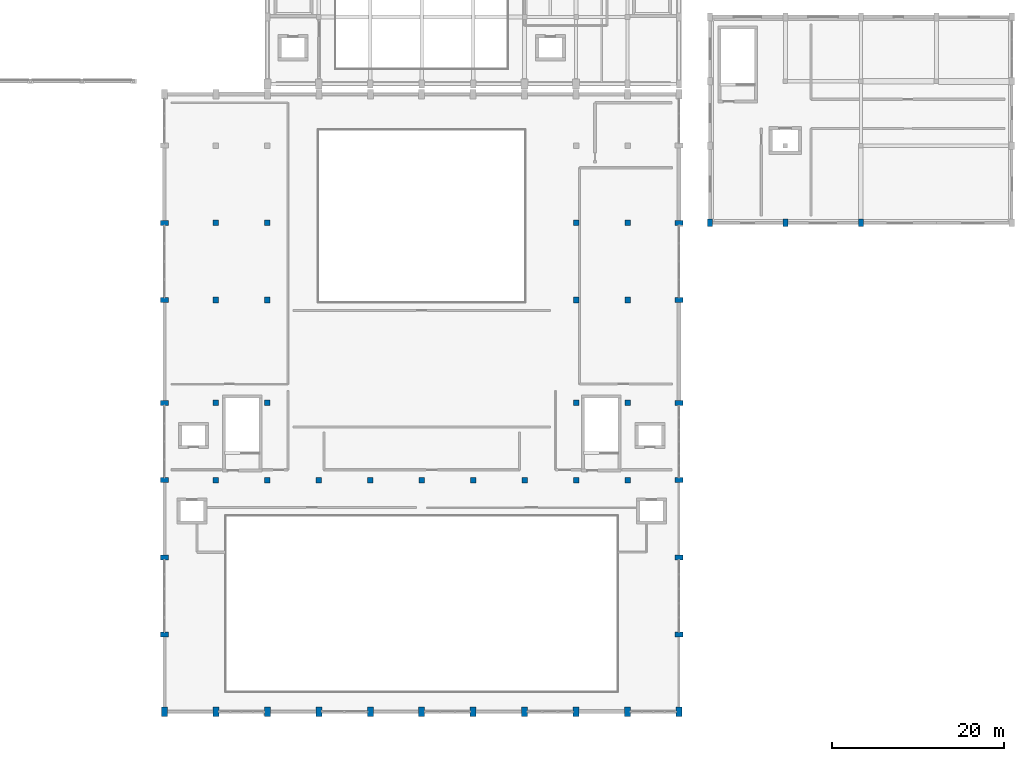
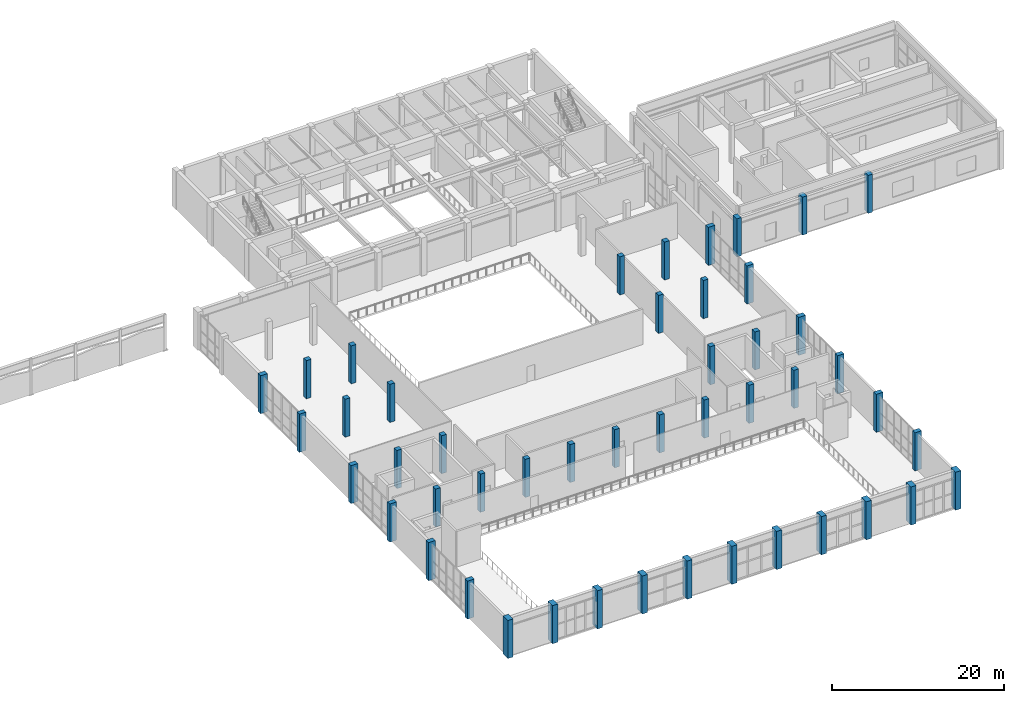
# One storey, part 1 of 41: 47 columns.
"""IFC4 building model written with IfcOpenShell, lengths in metres."""

from ifc_helpers import new_model, si_unit, direction, frame, origin, origin_2d, place, context, subcontext, project, spatial, rectangle, extrude, material, material_profile, profile_set, type_object, element, save


model = new_model("IFC4")

# Units and contexts
model_context = context("Model", 3, precision=1e-05, world=origin(), true_north=direction((0.0, 1.0)))
body_context = subcontext(model_context, "Body", "Model", "MODEL_VIEW")
ifc_project = project(units=[si_unit("LENGTHUNIT", "METRE"), si_unit("AREAUNIT", "SQUARE_METRE"), si_unit("VOLUMEUNIT", "CUBIC_METRE"), si_unit("PLANEANGLEUNIT", "RADIAN"), si_unit("MASSUNIT", "GRAM", prefix="KILO")], contexts=[model_context])

# Site, building, storey
site_placement = place(None, origin())
site = spatial("IfcSite", under=ifc_project, at=site_placement, CompositionType="ELEMENT")
building_placement = place(site_placement, origin())
building = spatial("IfcBuilding", under=site, at=building_placement, Name="Vaelkrest Opera House", CompositionType="ELEMENT")
storey_placement = place(building_placement, frame((0.0, 0.0, 24.60009765625)))
storey = spatial("IfcBuildingStorey", under=building, at=storey_placement, Name="L05", CompositionType="ELEMENT", Elevation=24.60009765625)

# Columns
ifc_material = material(Name="Concrete C50/60", Category="concrete")
ifc_material_profile_1 = material_profile(ifc_material, rectangle(XDim=0.60009765625, YDim=0.89990234375, at=origin_2d()), Name="RC600X900")
ifc_profile_set_1 = profile_set([ifc_material_profile_1], Name="Concrete C50/60")
column_type_1 = type_object("IfcColumnType", Name="C06", PredefinedType="COLUMN", material=ifc_profile_set_1)
for number, where, z_axis, x_axis, name in (
    (1, (-30.0, -46.800048828125, 0.0), (0.0, 0.0, 1.0), (0.0, 1.0, 0.0), "Column COL-V1-L05-0396"),
    (2, (-30.0, -37.800048828125, 0.0), (0.0, 0.0, 1.0), (0.0, 1.0, 0.0), "Column COL-V1-L05-0397"),
    (3, (-30.0, -28.800048828125, 0.0), (0.0, 0.0, 1.0), (0.0, 1.0, 0.0), "Column COL-V1-L05-0398"),
    (4, (-30.0, -19.800048828125, 0.0), (0.0, 0.0, 1.0), (0.0, 1.0, 0.0), "Column COL-V1-L05-0399"),
    (5, (-30.0, -7.800048828125, 0.0), (0.0, 0.0, 1.0), (0.0, 1.0, 0.0), "Column COL-V1-L05-0400"),
    (6, (-30.0, 1.199951171875, 0.0), (0.0, 0.0, 1.0), (0.0, 1.0, 0.0), "Column COL-V1-L05-0401"),
    (7, (30.0, -46.800048828125, 0.0), (0.0, 0.0, 1.0), (0.0, 1.0, 0.0), "Column COL-V1-L05-0448"),
    (8, (30.0, -37.800048828125, 0.0), (0.0, 0.0, 1.0), (0.0, 1.0, 0.0), "Column COL-V1-L05-0449"),
    (9, (30.0, -28.800048828125, 0.0), (0.0, 0.0, 1.0), (0.0, 1.0, 0.0), "Column COL-V1-L05-0450"),
    (10, (30.0, -19.800048828125, 0.0), (0.0, 0.0, 1.0), (0.0, 1.0, 0.0), "Column COL-V1-L05-0451"),
    (11, (30.0, -7.800048828125, 0.0), (0.0, 0.0, 1.0), (0.0, 1.0, 0.0), "Column COL-V1-L05-0452"),
    (12, (30.0, 1.199951171875, 0.0), (0.0, 0.0, 1.0), (0.0, 1.0, 0.0), "Column COL-V1-L05-0453"),
    (13, (33.60009765625, 1.199951171875, 0.0), (0.0, 0.0, 1.0), (1.0, 0.0, 0.0), "Column COL-V4-L05-1395"),
    (14, (42.39990234375, 1.199951171875, 0.0), (0.0, 0.0, 1.0), (1.0, 0.0, 0.0), "Column COL-V4-L05-1399"),
    (15, (51.199951171875, 1.199951171875, 0.0), (0.0, 0.0, 1.0), (1.0, 0.0, 0.0), "Column COL-V4-L05-1403"),
):
    element("IfcColumn", number, at=place(storey_placement, frame(where, z_axis=z_axis, x_axis=x_axis)), inside=storey, type_object=column_type_1, Name=name, PredefinedType="COLUMN", context=body_context, shape_type="SweptSolid", body=[
        extrude(rectangle(XDim=0.60009765625, YDim=0.89990234375, at=origin_2d()), origin(), (0.0, 0.0, 1.0), 5.39990234375),
    ])
ifc_material_profile_2 = material_profile(ifc_material, rectangle(XDim=0.699951171875, YDim=1.10009765625, at=origin_2d()), Name="RC700X1100")
ifc_profile_set_2 = profile_set([ifc_material_profile_2], Name="Concrete C50/60")
column_type_2 = type_object("IfcColumnType", Name="C07", PredefinedType="COLUMN", material=ifc_profile_set_2)
for number, where, z_axis, x_axis, name in (
    (16, (-30.0, -55.800048828125, 0.0), (0.0, 0.0, 1.0), (1.0, 0.0, 0.0), "Column COL-V1-L05-0395"),
    (17, (-24.0, -55.800048828125, 0.0), (0.0, 0.0, 1.0), (1.0, 0.0, 0.0), "Column COL-V1-L05-0404"),
    (18, (-18.0, -55.800048828125, 0.0), (0.0, 0.0, 1.0), (1.0, 0.0, 0.0), "Column COL-V1-L05-0411"),
    (19, (-12.0, -55.800048828125, 0.0), (0.0, 0.0, 1.0), (1.0, 0.0, 0.0), "Column COL-V1-L05-0418"),
    (20, (-6.0, -55.800048828125, 0.0), (0.0, 0.0, 1.0), (1.0, 0.0, 0.0), "Column COL-V1-L05-0421"),
    (21, (0.0, -55.800048828125, 0.0), (0.0, 0.0, 1.0), (1.0, 0.0, 0.0), "Column COL-V1-L05-0424"),
    (22, (6.0, -55.800048828125, 0.0), (0.0, 0.0, 1.0), (1.0, 0.0, 0.0), "Column COL-V1-L05-0427"),
    (23, (12.0, -55.800048828125, 0.0), (0.0, 0.0, 1.0), (1.0, 0.0, 0.0), "Column COL-V1-L05-0430"),
    (24, (18.0, -55.800048828125, 0.0), (0.0, 0.0, 1.0), (1.0, 0.0, 0.0), "Column COL-V1-L05-0433"),
    (25, (24.0, -55.800048828125, 0.0), (0.0, 0.0, 1.0), (1.0, 0.0, 0.0), "Column COL-V1-L05-0440"),
    (26, (30.0, -55.800048828125, 0.0), (0.0, 0.0, 1.0), (1.0, 0.0, 0.0), "Column COL-V1-L05-0447"),
):
    element("IfcColumn", number, at=place(storey_placement, frame(where, z_axis=z_axis, x_axis=x_axis)), inside=storey, type_object=column_type_2, Name=name, PredefinedType="COLUMN", context=body_context, shape_type="SweptSolid", body=[
        extrude(rectangle(XDim=0.699951171875, YDim=1.10009765625, at=origin_2d()), origin(), (0.0, 0.0, 1.0), 5.39990234375),
    ])
ifc_material_profile_3 = material_profile(ifc_material, rectangle(XDim=0.64990234375, YDim=0.64990234375, at=origin_2d()), Name="RC650X650")
ifc_profile_set_3 = profile_set([ifc_material_profile_3], Name="Concrete C50/60")
column_type_3 = type_object("IfcColumnType", Name="C14", PredefinedType="COLUMN", material=ifc_profile_set_3)
for number, where, z_axis, x_axis, name in (
    (27, (-24.0, -28.800048828125, 0.0), (0.0, 0.0, 1.0), (1.0, 0.0, 0.0), "Column COL-V1-L05-0405"),
    (28, (-24.0, -19.800048828125, 0.0), (0.0, 0.0, 1.0), (1.0, 0.0, 0.0), "Column COL-V1-L05-0406"),
    (29, (-24.0, -7.800048828125, 0.0), (0.0, 0.0, 1.0), (1.0, 0.0, 0.0), "Column COL-V1-L05-0407"),
    (30, (-24.0, 1.199951171875, 0.0), (0.0, 0.0, 1.0), (1.0, 0.0, 0.0), "Column COL-V1-L05-0408"),
    (31, (-18.0, -28.800048828125, 0.0), (0.0, 0.0, 1.0), (1.0, 0.0, 0.0), "Column COL-V1-L05-0412"),
    (32, (-18.0, -19.800048828125, 0.0), (0.0, 0.0, 1.0), (1.0, 0.0, 0.0), "Column COL-V1-L05-0413"),
    (33, (-18.0, -7.800048828125, 0.0), (0.0, 0.0, 1.0), (1.0, 0.0, 0.0), "Column COL-V1-L05-0414"),
    (34, (-18.0, 1.199951171875, 0.0), (0.0, 0.0, 1.0), (1.0, 0.0, 0.0), "Column COL-V1-L05-0415"),
    (35, (-12.0, -28.800048828125, 0.0), (0.0, 0.0, 1.0), (1.0, 0.0, 0.0), "Column COL-V1-L05-0419"),
    (36, (-6.0, -28.800048828125, 0.0), (0.0, 0.0, 1.0), (1.0, 0.0, 0.0), "Column COL-V1-L05-0422"),
    (37, (0.0, -28.800048828125, 0.0), (0.0, 0.0, 1.0), (1.0, 0.0, 0.0), "Column COL-V1-L05-0425"),
    (38, (6.0, -28.800048828125, 0.0), (0.0, 0.0, 1.0), (1.0, 0.0, 0.0), "Column COL-V1-L05-0428"),
    (39, (12.0, -28.800048828125, 0.0), (0.0, 0.0, 1.0), (1.0, 0.0, 0.0), "Column COL-V1-L05-0431"),
    (40, (18.0, -28.800048828125, 0.0), (0.0, 0.0, 1.0), (1.0, 0.0, 0.0), "Column COL-V1-L05-0434"),
    (41, (18.0, -19.800048828125, 0.0), (0.0, 0.0, 1.0), (1.0, 0.0, 0.0), "Column COL-V1-L05-0435"),
    (42, (18.0, -7.800048828125, 0.0), (0.0, 0.0, 1.0), (1.0, 0.0, 0.0), "Column COL-V1-L05-0436"),
    (43, (18.0, 1.199951171875, 0.0), (0.0, 0.0, 1.0), (1.0, 0.0, 0.0), "Column COL-V1-L05-0437"),
    (44, (24.0, -28.800048828125, 0.0), (0.0, 0.0, 1.0), (1.0, 0.0, 0.0), "Column COL-V1-L05-0441"),
    (45, (24.0, -19.800048828125, 0.0), (0.0, 0.0, 1.0), (1.0, 0.0, 0.0), "Column COL-V1-L05-0442"),
    (46, (24.0, -7.800048828125, 0.0), (0.0, 0.0, 1.0), (1.0, 0.0, 0.0), "Column COL-V1-L05-0443"),
    (47, (24.0, 1.199951171875, 0.0), (0.0, 0.0, 1.0), (1.0, 0.0, 0.0), "Column COL-V1-L05-0444"),
):
    element("IfcColumn", number, at=place(storey_placement, frame(where, z_axis=z_axis, x_axis=x_axis)), inside=storey, type_object=column_type_3, Name=name, PredefinedType="COLUMN", context=body_context, shape_type="SweptSolid", body=[
        extrude(rectangle(XDim=0.64990234375, YDim=0.64990234375, at=origin_2d()), origin(), (0.0, 0.0, 1.0), 5.39990234375),
    ])

save(model, "model.ifc")
